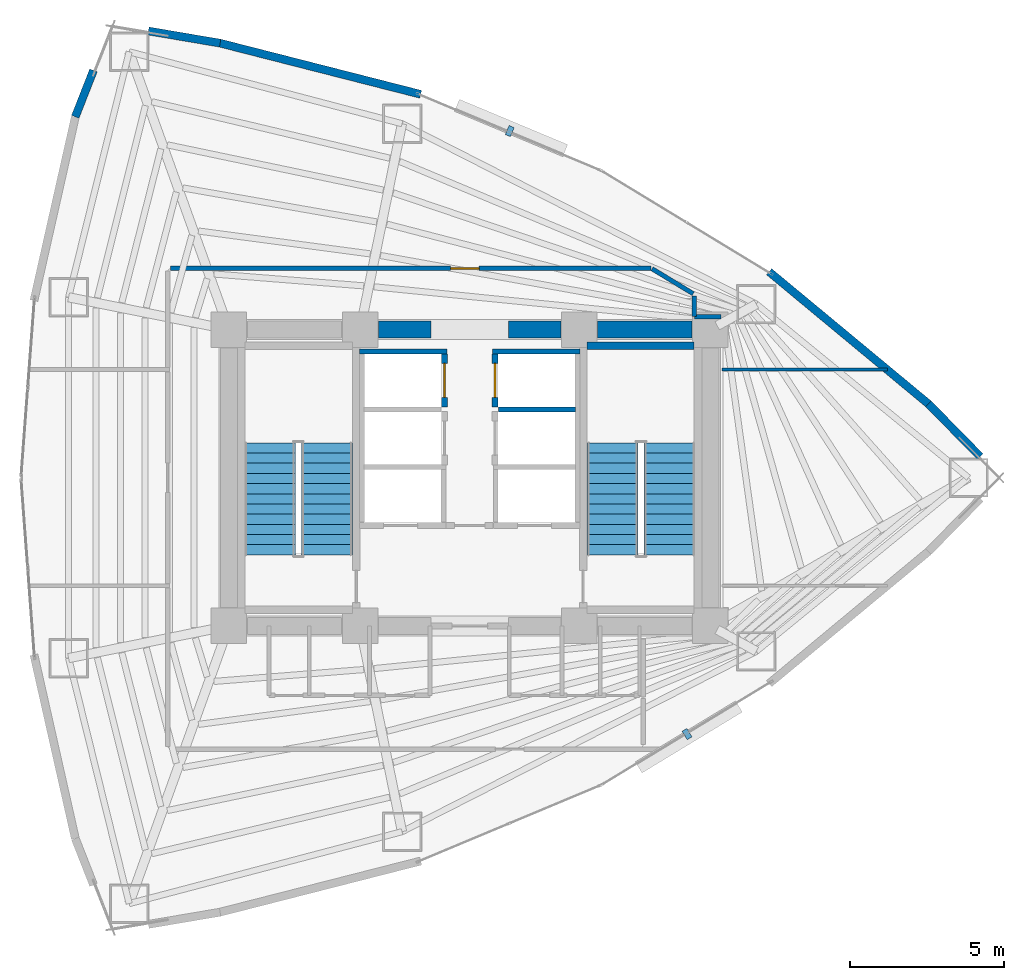
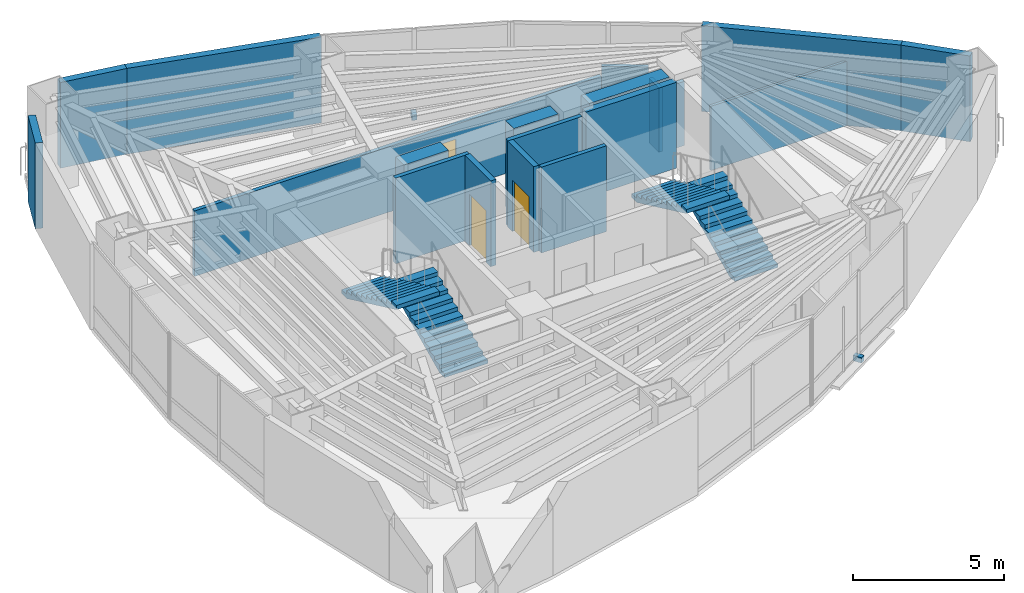
# One storey, part 16 of 18: 19 walls, 4 stair flights, 3 doors, 2 discrete accessories, 3 openings, 2 elements without a shape of their own.
"""IFC4 building model written with IfcOpenShell, lengths in metres."""

from ifc_helpers import new_model, si_unit, direction, frame, frame_2d, origin, origin_2d, place, context, subcontext, project, spatial, polyline, rectangle, outline, extrude, material, layer, layer_set, type_object, element, fill, aggregate, save


model = new_model("IFC4")

# Units and contexts
model_context = context("Model", 3, precision=1e-05, world=origin(), true_north=direction((0.0, 1.0)))
body_context = subcontext(model_context, "Body", "Model", "MODEL_VIEW")
ifc_project = project(units=[si_unit("LENGTHUNIT", "METRE"), si_unit("AREAUNIT", "SQUARE_METRE"), si_unit("VOLUMEUNIT", "CUBIC_METRE"), si_unit("PLANEANGLEUNIT", "RADIAN"), si_unit("MASSUNIT", "GRAM", prefix="KILO")], contexts=[model_context])

# Site, building, storey
site_placement = place(None, origin())
site = spatial("IfcSite", under=ifc_project, at=site_placement, CompositionType="ELEMENT")
building_placement = place(site_placement, origin())
building = spatial("IfcBuilding", under=site, at=building_placement, Name="Menara Vayukalpa", CompositionType="ELEMENT")
storey_placement = place(building_placement, frame((0.0, 0.0, 89.10009765625)))
storey = spatial("IfcBuildingStorey", under=building, at=storey_placement, Name="L21", CompositionType="ELEMENT", Elevation=89.10009765625)

# Walls
ifc_material_1 = material(Name="Concrete C60/75", Category="concrete")
ifc_layer_1 = layer(ifc_material_1, 0.550048828125)
ifc_layer_set_1 = layer_set([ifc_layer_1], Name="Concrete C60/75")
wall_type_1 = type_object("IfcWallType", Name="WAL-CW550", PredefinedType="SHEAR", material=ifc_layer_set_1)
wall_1_placement = place(storey_placement, frame((22.64501953125, 26.800048828125, 0.0), z_axis=(0.0, 0.0, 1.0), x_axis=(1.0, 0.0, 0.0)))
element("IfcWall", 1, at=wall_1_placement, inside=storey, type_object=wall_type_1, Name="L21 Buttressed Core Shear Wall CWN2", PredefinedType="SHEAR", context=body_context, shape_type="SweptSolid", body=[
    extrude(rectangle(XDim=1.705078125, YDim=0.550048828125, at=frame_2d((0.8525390625, 0.0))), origin(), (0.0, 0.0, 1.0), 3.469970703125),
])
wall_2_placement = place(storey_placement, frame((26.85009765625, 26.800048828125, 0.0), z_axis=(0.0, 0.0, 1.0), x_axis=(1.0, 0.0, 0.0)))
element("IfcWall", 2, at=wall_2_placement, inside=storey, type_object=wall_type_1, Name="L21 Buttressed Core Shear Wall CWN3", PredefinedType="SHEAR", context=body_context, shape_type="SweptSolid", body=[
    extrude(rectangle(XDim=1.704833984375, YDim=0.550048828125, at=frame_2d((0.8525390625, 0.0))), origin(), (0.0, 0.0, 1.0), 3.469970703125),
])
wall_3_placement = place(storey_placement, frame((29.7451171875, 26.800048828125, 0.0), z_axis=(0.0, 0.0, 1.0), x_axis=(1.0, 0.0, 0.0)))
element("IfcWall", 3, at=wall_3_placement, inside=storey, type_object=wall_type_1, Name="L21 Buttressed Core Shear Wall CWN4", PredefinedType="SHEAR", context=body_context, shape_type="SweptSolid", body=[
    extrude(rectangle(XDim=3.059814453125, YDim=0.550048828125, at=frame_2d((1.52978515625, 0.0))), origin(), (0.0, 0.0, 1.0), 3.469970703125),
])
ifc_material_2 = material(Name="Insulated Precast Concrete C40/50", Category="concrete")
ifc_layer_2 = layer(ifc_material_2, 0.260009765625)
ifc_layer_set_2 = layer_set([ifc_layer_2], Name="Insulated Precast Concrete C40/50")
wall_type_2 = type_object("IfcWallType", Name="WAL-EXT260", PredefinedType="PARTITIONING", material=ifc_layer_set_2)
wall_4_placement = place(storey_placement, frame((40.46337890625, 24.39208984375, 0.0), z_axis=(0.0, 0.0, 1.0), x_axis=(0.700603293449, -0.713550996922, 0.0)))
element("IfcWall", 4, at=wall_4_placement, inside=storey, type_object=wall_type_2, Name="L21 Perimeter Terracotta Pier Wall 02", PredefinedType="PARTITIONING", context=body_context, shape_type="SweptSolid", body=[
    extrude(rectangle(XDim=2.394775390625, YDim=0.260009765625, at=frame_2d((1.197265625, 0.0))), origin(), (0.0, 0.0, 1.0), 3.469970703125),
])
wall_5_placement = place(storey_placement, frame((35.30126953125, 28.672119140625, 0.0), z_axis=(0.0, 0.0, 1.0), x_axis=(0.76975316947, -0.638341646841, 0.0)))
element("IfcWall", 5, at=wall_5_placement, inside=storey, type_object=wall_type_2, Name="L21 Perimeter Terracotta Pier Wall 03", PredefinedType="PARTITIONING", context=body_context, shape_type="SweptSolid", body=[
    extrude(rectangle(XDim=6.718017578125, YDim=0.260009765625, at=frame_2d((3.35888671875, 0.0))), origin(), (0.0, 0.0, 1.0), 3.469970703125),
])
wall_6_placement = place(storey_placement, frame((17.504638671875, 36.08056640625, 0.0), z_axis=(0.0, 0.0, 1.0), x_axis=(0.968981437296, -0.247133514876, 0.0)))
element("IfcWall", 6, at=wall_6_placement, inside=storey, type_object=wall_type_2, Name="L21 Perimeter Terracotta Pier Wall 06", PredefinedType="PARTITIONING", context=body_context, shape_type="SweptSolid", body=[
    extrude(rectangle(XDim=6.717529296875, YDim=0.260009765625, at=frame_2d((3.35888671875, 0.0))), origin(), (0.0, 0.0, 1.0), 3.469970703125),
])
wall_7_placement = place(storey_placement, frame((15.19287109375, 36.472412109375, 0.0), z_axis=(0.0, 0.0, 1.0), x_axis=(0.985905269947, -0.167304508875, 0.0)))
element("IfcWall", 7, at=wall_7_placement, inside=storey, type_object=wall_type_2, Name="L21 Perimeter Terracotta Pier Wall 07", PredefinedType="PARTITIONING", context=body_context, shape_type="SweptSolid", body=[
    extrude(rectangle(XDim=2.356689453125, YDim=0.260009765625, at=frame_2d((1.17822265625, 0.0))), origin(), (0.0, 0.0, 1.0), 3.469970703125),
])
wall_8_placement = place(storey_placement, frame((12.822021484375, 33.69140625, 0.0), z_axis=(0.0, 0.0, 1.0), x_axis=(0.365488551504, 0.930815835018, 0.0)))
element("IfcWall", 8, at=wall_8_placement, inside=storey, type_object=wall_type_2, Name="L21 Perimeter Terracotta Pier Wall 08", PredefinedType="PARTITIONING", context=body_context, shape_type="SweptSolid", body=[
    extrude(rectangle(XDim=1.61376953125, YDim=0.260009765625, at=frame_2d((0.806884765625, 0.0))), origin(), (0.0, 0.0, 1.0), 3.469970703125),
])
ifc_material_3 = material(Name="Lightweight Concrete Blockwork C16/20", Category="masonry")
ifc_layer_3 = layer(ifc_material_3, 0.159912109375)
ifc_layer_set_3 = layer_set([ifc_layer_3], Name="Lightweight Concrete Blockwork C16/20")
wall_type_3 = type_object("IfcWallType", Name="WAL-FR150", PredefinedType="PARTITIONING", material=ifc_layer_set_3)
wall_9_placement = place(storey_placement, frame((22.030029296875, 26.0849609375, 0.0), z_axis=(0.0, 0.0, 1.0), x_axis=(1.0, 0.0, 0.0)))
element("IfcWall", 9, at=wall_9_placement, inside=storey, type_object=wall_type_3, Name="L21 Interior Partition IW-L21-SHM-W3N", PredefinedType="PARTITIONING", context=body_context, shape_type="SweptSolid", body=[
    extrude(rectangle(XDim=2.830078125, YDim=0.159912109375, at=frame_2d((1.4150390625, 0.0))), origin(), (0.0, 0.0, 1.0), 3.469970703125),
])
wall_10_placement = place(storey_placement, frame((26.530029296875, 24.215087890625, 0.0), z_axis=(0.0, 0.0, 1.0), x_axis=(1.0, 0.0, 0.0)))
element("IfcWall", 10, at=wall_10_placement, inside=storey, type_object=wall_type_3, Name="L21 Interior Partition IW-L21-SHM-E32", PredefinedType="PARTITIONING", context=body_context, shape_type="SweptSolid", body=[
    extrude(rectangle(XDim=2.489990234375, YDim=0.159912109375, at=frame_2d((1.2451171875, 0.0))), origin(), (0.0, 0.0, 1.0), 3.469970703125),
])
wall_11_placement = place(storey_placement, frame((26.340087890625, 26.0849609375, 0.0), z_axis=(0.0, 0.0, 1.0), x_axis=(1.0, 0.0, 0.0)))
element("IfcWall", 11, at=wall_11_placement, inside=storey, type_object=wall_type_3, Name="L21 Interior Partition IW-L21-SHM-E2N", PredefinedType="PARTITIONING", context=body_context, shape_type="SweptSolid", body=[
    extrude(rectangle(XDim=2.829833984375, YDim=0.159912109375, at=frame_2d((1.4150390625, 0.0))), origin(), (0.0, 0.0, 1.0), 3.469970703125),
])

# Wall, opening, door
ifc_material_4 = material(Name="Lightweight Concrete Blockwork C16/20", Category="masonry")
ifc_layer_4 = layer(ifc_material_4, 0.199951171875)
ifc_layer_set_4 = layer_set([ifc_layer_4], Name="Lightweight Concrete Blockwork C16/20")
wall_type_4 = type_object("IfcWallType", Name="WAL-FR200", PredefinedType="PARTITIONING", material=ifc_layer_set_4)
wall_12_placement = place(storey_placement, frame((24.780029296875, 24.2900390625, 0.0), z_axis=(0.0, 0.0, 1.0), x_axis=(0.0, 1.0, 0.0)))
wall_12 = element("IfcWall", 12, at=wall_12_placement, inside=storey, type_object=wall_type_4, Name="L21 Interior Partition IW-L21-SH-W3", PredefinedType="PARTITIONING", context=body_context, shape_type="SweptSolid", body=[
    extrude(rectangle(XDim=1.719970703125, YDim=0.199951171875, at=frame_2d((0.85986328125, 0.0))), origin(), (0.0, 0.0, 1.0), 3.469970703125),
])
opening_1_placement = place(wall_12_placement, frame((0.31005859375, 0.0, 0.0)))
opening_1 = element("IfcOpeningElement", 13, at=opening_1_placement, cuts=wall_12, Name="Opening LD1", PredefinedType="OPENING", context=body_context, shape_type="SweptSolid", body=[
    extrude(rectangle(XDim=1.10009765625, YDim=2.080078125, at=frame_2d((0.550048828125, 1.0400390625))), frame((0.0, 0.10986328125, 0.0), z_axis=(0.0, -1.0, 0.0), x_axis=(1.0, 0.0, 0.0)), (0.0, 0.0, 1.0), 0.219970703125),
])
ifc_material_5 = material(Name="Brushed Stainless Steel 316 Lift Door", Category="steel")
door_type_1 = type_object("IfcDoorType", Name="DR-LD110", OperationType="NOTDEFINED", PredefinedType="DOOR", material=ifc_material_5)
door_1_placement = place(opening_1_placement, origin())
door_1 = element("IfcDoor", 14, at=door_1_placement, inside=storey, type_object=door_type_1, Name="L21 Interior Door DR-L21-LD-W3", OperationType="DOUBLE_DOOR_SLIDING", OverallHeight=2.080078125, OverallWidth=1.10009765625, PredefinedType="DOOR", context=body_context, shape_type="SweptSolid", body=[
    extrude(rectangle(XDim=1.10009765625, YDim=2.080078125, at=frame_2d((0.550048828125, 1.0400390625))), frame((0.0, 0.02490234375, 0.0), z_axis=(0.0, -1.0, 0.0), x_axis=(1.0, 0.0, 0.0)), (0.0, 0.0, 1.0), 0.050048828125),
])
fill(opening_1, door_1)

wall_13_placement = place(storey_placement, frame((26.419921875, 24.2900390625, 0.0), z_axis=(0.0, 0.0, 1.0), x_axis=(0.0, 1.0, 0.0)))
wall_13 = element("IfcWall", 15, at=wall_13_placement, inside=storey, type_object=wall_type_4, Name="L21 Interior Partition IW-L21-SH-E2", PredefinedType="PARTITIONING", context=body_context, shape_type="SweptSolid", body=[
    extrude(rectangle(XDim=1.719970703125, YDim=0.199951171875, at=frame_2d((0.85986328125, 0.0))), origin(), (0.0, 0.0, 1.0), 3.469970703125),
])
opening_2_placement = place(wall_13_placement, frame((0.31005859375, 0.0, 0.0)))
opening_2 = element("IfcOpeningElement", 16, at=opening_2_placement, cuts=wall_13, Name="Opening LD1", PredefinedType="OPENING", context=body_context, shape_type="SweptSolid", body=[
    extrude(rectangle(XDim=1.10009765625, YDim=2.080078125, at=frame_2d((0.550048828125, 1.0400390625))), frame((0.0, 0.10986328125, 0.0), z_axis=(0.0, -1.0, 0.0), x_axis=(1.0, 0.0, 0.0)), (0.0, 0.0, 1.0), 0.219970703125),
])
door_2_placement = place(opening_2_placement, origin())
door_2 = element("IfcDoor", 17, at=door_2_placement, inside=storey, type_object=door_type_1, Name="L21 Interior Door DR-L21-LD-E2", OperationType="DOUBLE_DOOR_SLIDING", OverallHeight=2.080078125, OverallWidth=1.10009765625, PredefinedType="DOOR", context=body_context, shape_type="SweptSolid", body=[
    extrude(rectangle(XDim=1.10009765625, YDim=2.080078125, at=frame_2d((0.550048828125, 1.0400390625))), frame((0.0, 0.02490234375, 0.0), z_axis=(0.0, -1.0, 0.0), x_axis=(1.0, 0.0, 0.0)), (0.0, 0.0, 1.0), 0.050048828125),
])
fill(opening_2, door_2)

# Walls
ifc_material_6 = material(Name="Glazed Demountable Office Partition", Category="glass")
ifc_layer_5 = layer(ifc_material_6, 0.094970703125)
ifc_layer_set_5 = layer_set([ifc_layer_5], Name="Glazed Demountable Office Partition")
wall_type_5 = type_object("IfcWallType", Name="WAL-PT100", PredefinedType="PARTITIONING", material=ifc_layer_set_5)
wall_14_placement = place(storey_placement, frame((33.77001953125, 25.5, 0.0), z_axis=(0.0, 0.0, 1.0), x_axis=(1.0, 0.0, 0.0)))
element("IfcWall", 18, at=wall_14_placement, inside=storey, type_object=wall_type_5, Name="L21 Interior Partition IW-L21-RDIV04", PredefinedType="PARTITIONING", context=body_context, shape_type="SweptSolid", body=[
    extrude(rectangle(XDim=5.3720703125, YDim=0.094970703125, at=frame_2d((2.68603515625, 0.0))), origin(), (0.0, 0.0, 1.0), 2.599853515625),
])
ifc_material_7 = material(Name="Gypsum Drywall Acoustic Stud Assembly", Category="masonry")
ifc_layer_6 = layer(ifc_material_7, 0.14501953125)
ifc_layer_set_6 = layer_set([ifc_layer_6], Name="Gypsum Drywall Acoustic Stud Assembly")
wall_type_6 = type_object("IfcWallType", Name="WAL-PT150", PredefinedType="PARTITIONING", material=ifc_layer_set_6)
wall_15_placement = place(storey_placement, frame((33.739990234375, 27.219970703125, 0.0), z_axis=(0.0, 0.0, 1.0), x_axis=(-1.0, 0.0, 0.0)))
element("IfcWall", 19, at=wall_15_placement, inside=storey, type_object=wall_type_6, Name="L21 Interior Partition IW-L21-CRM04-1", PredefinedType="PARTITIONING", context=body_context, shape_type="SweptSolid", body=[
    extrude(rectangle(XDim=0.860107421875, YDim=0.14501953125, at=frame_2d((0.43017578125, 0.0))), origin(), (0.0, 0.0, 1.0), 2.599853515625),
])
wall_16_placement = place(storey_placement, frame((32.8798828125, 27.219970703125, 0.0), z_axis=(0.0, 0.0, 1.0), x_axis=(0.0, 1.0, 0.0)))
element("IfcWall", 20, at=wall_16_placement, inside=storey, type_object=wall_type_6, Name="L21 Interior Partition IW-L21-CRM04-2", PredefinedType="PARTITIONING", context=body_context, shape_type="SweptSolid", body=[
    extrude(rectangle(XDim=0.671142578125, YDim=0.14501953125, at=frame_2d((0.33544921875, 0.0))), origin(), (0.0, 0.0, 1.0), 2.599853515625),
])
wall_17_placement = place(storey_placement, frame((32.841552734375, 27.959716796875, 0.0), z_axis=(0.0, 0.0, 1.0), x_axis=(-0.854742818792, 0.519051744745, 0.0)))
element("IfcWall", 21, at=wall_17_placement, inside=storey, type_object=wall_type_6, Name="L21 Interior Partition IW-L21-CRM04-3", PredefinedType="PARTITIONING", context=body_context, shape_type="SweptSolid", body=[
    extrude(rectangle(XDim=1.557861328125, YDim=0.14501953125, at=frame_2d((0.77880859375, 0.0))), origin(), (0.0, 0.0, 1.0), 3.0498046875),
])

# Wall, opening, door
wall_18_placement = place(storey_placement, frame((31.468505859375, 28.780029296875, 0.0), z_axis=(0.0, 0.0, 1.0), x_axis=(-1.0, 0.0, 0.0)))
wall_18 = element("IfcWall", 22, at=wall_18_placement, inside=storey, type_object=wall_type_6, Name="L21 Interior Partition IW-L21-CRM04-4", PredefinedType="PARTITIONING", context=body_context, shape_type="SweptSolid", body=[
    extrude(rectangle(XDim=15.568603515625, YDim=0.14501953125, at=frame_2d((7.7841796875, 0.0))), origin(), (0.0, 0.0, 1.0), 2.64990234375),
])
opening_3_placement = place(wall_18_placement, frame((5.563232421875, 0.0, 0.0)))
opening_3 = element("IfcOpeningElement", 23, at=opening_3_placement, cuts=wall_18, Name="Opening ID6", PredefinedType="OPENING", context=body_context, shape_type="SweptSolid", body=[
    extrude(rectangle(XDim=0.919921875, YDim=2.050048828125, at=frame_2d((0.4599609375, 1.02490234375))), frame((0.0, 0.08251953125, 0.0), z_axis=(0.0, -1.0, 0.0), x_axis=(1.0, 0.0, 0.0)), (0.0, 0.0, 1.0), 0.1650390625),
])
ifc_material_8 = material(Name="Acoustic Hardwood Veneer Timber Door", Category="wood")
door_type_2 = type_object("IfcDoorType", Name="DR-INT92", OperationType="NOTDEFINED", PredefinedType="DOOR", material=ifc_material_8)
door_3_placement = place(opening_3_placement, origin())
door_3 = element("IfcDoor", 24, at=door_3_placement, inside=storey, type_object=door_type_2, Name="L21 Interior Door DR-L21-RM04", OperationType="SINGLE_SWING_LEFT", OverallHeight=2.050048828125, OverallWidth=0.919921875, PredefinedType="DOOR", context=body_context, shape_type="SweptSolid", body=[
    extrude(rectangle(XDim=0.919921875, YDim=2.050048828125, at=frame_2d((0.4599609375, 1.02490234375))), frame((0.0, 0.02490234375, 0.0), z_axis=(0.0, -1.0, 0.0), x_axis=(1.0, 0.0, 0.0)), (0.0, 0.0, 1.0), 0.050048828125),
])
fill(opening_3, door_3)

# Wall
ifc_material_9 = material(Name="Concrete C50/60", Category="concrete")
ifc_layer_7 = layer(ifc_material_9, 0.25)
ifc_layer_set_7 = layer_set([ifc_layer_7], Name="Concrete C50/60")
wall_type_7 = type_object("IfcWallType", Name="WAL-SW250", PredefinedType="SHEAR", material=ifc_layer_set_7)
wall_19_placement = place(storey_placement, frame((29.39990234375, 26.27490234375, 0.0), z_axis=(0.0, 0.0, 1.0), x_axis=(1.0, 0.0, 0.0)))
element("IfcWall", 25, at=wall_19_placement, inside=storey, type_object=wall_type_7, Name="L21 ST2 Structural Stair Shaft Wall N", PredefinedType="SHEAR", context=body_context, shape_type="SweptSolid", body=[
    extrude(rectangle(XDim=3.47119140625, YDim=0.25, at=frame_2d((1.735595703125, 0.0))), origin(), (0.0, 0.0, 1.0), 3.469970703125),
])

# Stair, stair flights
ifc_material_10 = material(Name="Precast Concrete C40/50", Category="concrete")
stair_type = type_object("IfcStairType", Name="STR-T04", PredefinedType="DOUBLE_RETURN_STAIR", material=ifc_material_10)
stair_1_placement = place(storey_placement, origin())
stair_1 = element("IfcStair", 26, at=stair_1_placement, inside=storey, type_object=stair_type, Name="L21 Core Exit Stair ST-1", PredefinedType="DOUBLE_RETURN_STAIR")
ifc_material_11 = material(Name="Precast Concrete C40/50", Category="concrete")
stair_flight_type = type_object("IfcStairFlightType", Name="STF-T04", PredefinedType="STRAIGHT", material=ifc_material_11)
stair_flight_1_placement = place(storey_placement, frame((20.97509765625, 19.5, 0.0), z_axis=(0.0, 0.0, 1.0), x_axis=(0.0, 1.0, 0.0)))
stair_flight_1 = element("IfcStairFlight", 27, at=stair_flight_1_placement, type_object=stair_flight_type, Name="ST-1 flight 1", NumberOfRisers=12, NumberOfTreads=11, PredefinedType="STRAIGHT", RiserHeight=0.155, TreadLength=0.33, context=body_context, shape_type="SweptSolid", body=[
    extrude(outline(polyline([(0.0, 0.0), (0.0, 0.155029296875), (0.330078125, 0.155029296875), (0.330078125, 0.31005859375), (0.659912109375, 0.31005859375), (0.659912109375, 0.465087890625), (0.989990234375, 0.465087890625), (0.989990234375, 0.6201171875), (1.320068359375, 0.6201171875), (1.320068359375, 0.77490234375), (1.64990234375, 0.77490234375), (1.64990234375, 0.929931640625), (1.97998046875, 0.929931640625), (1.97998046875, 1.0849609375), (2.31005859375, 1.0849609375), (2.31005859375, 1.239990234375), (2.639892578125, 1.239990234375), (2.639892578125, 1.39501953125), (2.969970703125, 1.39501953125), (2.969970703125, 1.550048828125), (3.300048828125, 1.550048828125), (3.300048828125, 1.705078125), (3.6298828125, 1.705078125), (3.6298828125, 1.860107421875), (3.6298828125, 1.539306640625), (0.3525390625, 0.0), (0.0, 0.0)])), frame((0.0, 0.824951171875, 0.0), z_axis=(0.0, -1.0, 0.0), x_axis=(1.0, 0.0, 0.0)), (0.0, 0.0, 1.0), 1.64990234375),
])
stair_flight_2_placement = place(storey_placement, frame((19.125, 23.1298828125, 1.85986328125), z_axis=(0.0, 0.0, 1.0), x_axis=(0.0, -1.0, 0.0)))
stair_flight_2 = element("IfcStairFlight", 28, at=stair_flight_2_placement, type_object=stair_flight_type, Name="ST-1 flight 2", NumberOfRisers=12, NumberOfTreads=11, PredefinedType="STRAIGHT", RiserHeight=0.155, TreadLength=0.33, context=body_context, shape_type="SweptSolid", body=[
    extrude(outline(polyline([(0.0, 0.0), (0.0, 0.155029296875), (0.330078125, 0.155029296875), (0.330078125, 0.31005859375), (0.659912109375, 0.31005859375), (0.659912109375, 0.465087890625), (0.989990234375, 0.465087890625), (0.989990234375, 0.6201171875), (1.320068359375, 0.6201171875), (1.320068359375, 0.77490234375), (1.64990234375, 0.77490234375), (1.64990234375, 0.929931640625), (1.97998046875, 0.929931640625), (1.97998046875, 1.0849609375), (2.31005859375, 1.0849609375), (2.31005859375, 1.239990234375), (2.639892578125, 1.239990234375), (2.639892578125, 1.39501953125), (2.969970703125, 1.39501953125), (2.969970703125, 1.550048828125), (3.300048828125, 1.550048828125), (3.300048828125, 1.705078125), (3.6298828125, 1.705078125), (3.6298828125, 1.860107421875), (3.6298828125, 1.539306640625), (0.3525390625, 0.0), (0.0, 0.0)])), frame((0.0, 0.824951171875, 0.0), z_axis=(0.0, -1.0, 0.0), x_axis=(1.0, 0.0, 0.0)), (0.0, 0.0, 1.0), 1.64990234375),
])
aggregate(stair_1, [stair_flight_1, stair_flight_2])

stair_2_placement = place(storey_placement, origin())
stair_2 = element("IfcStair", 29, at=stair_2_placement, inside=storey, type_object=stair_type, Name="L21 Core Exit Stair ST-2", PredefinedType="DOUBLE_RETURN_STAIR")
stair_flight_3_placement = place(storey_placement, frame((32.074951171875, 19.5, 0.0), z_axis=(0.0, 0.0, 1.0), x_axis=(0.0, 1.0, 0.0)))
stair_flight_3 = element("IfcStairFlight", 30, at=stair_flight_3_placement, type_object=stair_flight_type, Name="ST-2 flight 1", NumberOfRisers=12, NumberOfTreads=11, PredefinedType="STRAIGHT", RiserHeight=0.155, TreadLength=0.33, context=body_context, shape_type="SweptSolid", body=[
    extrude(outline(polyline([(0.0, 0.0), (0.0, 0.155029296875), (0.330078125, 0.155029296875), (0.330078125, 0.31005859375), (0.659912109375, 0.31005859375), (0.659912109375, 0.465087890625), (0.989990234375, 0.465087890625), (0.989990234375, 0.6201171875), (1.320068359375, 0.6201171875), (1.320068359375, 0.77490234375), (1.64990234375, 0.77490234375), (1.64990234375, 0.929931640625), (1.97998046875, 0.929931640625), (1.97998046875, 1.0849609375), (2.31005859375, 1.0849609375), (2.31005859375, 1.239990234375), (2.639892578125, 1.239990234375), (2.639892578125, 1.39501953125), (2.969970703125, 1.39501953125), (2.969970703125, 1.550048828125), (3.300048828125, 1.550048828125), (3.300048828125, 1.705078125), (3.6298828125, 1.705078125), (3.6298828125, 1.860107421875), (3.6298828125, 1.539306640625), (0.3525390625, 0.0), (0.0, 0.0)])), frame((0.0, 0.824951171875, 0.0), z_axis=(0.0, -1.0, 0.0), x_axis=(1.0, 0.0, 0.0)), (0.0, 0.0, 1.0), 1.64990234375),
])
stair_flight_4_placement = place(storey_placement, frame((30.22509765625, 23.1298828125, 1.85986328125), z_axis=(0.0, 0.0, 1.0), x_axis=(0.0, -1.0, 0.0)))
stair_flight_4 = element("IfcStairFlight", 31, at=stair_flight_4_placement, type_object=stair_flight_type, Name="ST-2 flight 2", NumberOfRisers=12, NumberOfTreads=11, PredefinedType="STRAIGHT", RiserHeight=0.155, TreadLength=0.33, context=body_context, shape_type="SweptSolid", body=[
    extrude(outline(polyline([(0.0, 0.0), (0.0, 0.155029296875), (0.330078125, 0.155029296875), (0.330078125, 0.31005859375), (0.659912109375, 0.31005859375), (0.659912109375, 0.465087890625), (0.989990234375, 0.465087890625), (0.989990234375, 0.6201171875), (1.320068359375, 0.6201171875), (1.320068359375, 0.77490234375), (1.64990234375, 0.77490234375), (1.64990234375, 0.929931640625), (1.97998046875, 0.929931640625), (1.97998046875, 1.0849609375), (2.31005859375, 1.0849609375), (2.31005859375, 1.239990234375), (2.639892578125, 1.239990234375), (2.639892578125, 1.39501953125), (2.969970703125, 1.39501953125), (2.969970703125, 1.550048828125), (3.300048828125, 1.550048828125), (3.300048828125, 1.705078125), (3.6298828125, 1.705078125), (3.6298828125, 1.860107421875), (3.6298828125, 1.539306640625), (0.3525390625, 0.0), (0.0, 0.0)])), frame((0.0, 0.824951171875, 0.0), z_axis=(0.0, -1.0, 0.0), x_axis=(1.0, 0.0, 0.0)), (0.0, 0.0, 1.0), 1.64990234375),
])
aggregate(stair_2, [stair_flight_3, stair_flight_4])

# Discrete accessories
ifc_material_12 = material(Name="Stainless Steel 316 Sunshade Bracket", Category="steel")
discrete_accessory_type = type_object("IfcDiscreteAccessoryType", Name="ACC-BRK1", PredefinedType="BRACKET", material=ifc_material_12)
for number, where, z_axis, x_axis, name in (
    (32, (26.898193359375, 33.22900390625, -0.16015625), (0.0, 0.0, 1.0), (-0.922544824647, 0.385889940938, 0.0), "L21 Terracotta Sunshade Bracket 05"),
    (33, (32.6416015625, 13.69580078125, -0.16015625), (0.0, 0.0, 1.0), (0.85466730962, 0.519176068272, 0.0), "L21 Terracotta Sunshade Bracket 17"),
):
    element("IfcDiscreteAccessory", number, at=place(storey_placement, frame(where, z_axis=z_axis, x_axis=x_axis)), inside=storey, type_object=discrete_accessory_type, Name=name, PredefinedType="BRACKET", context=body_context, shape_type="SweptSolid", body=[
        extrude(rectangle(XDim=0.179931640625, YDim=0.320068359375, at=origin_2d()), origin(), (0.0, 0.0, 1.0), 0.219970703125),
    ])

save(model, "model.ifc")
